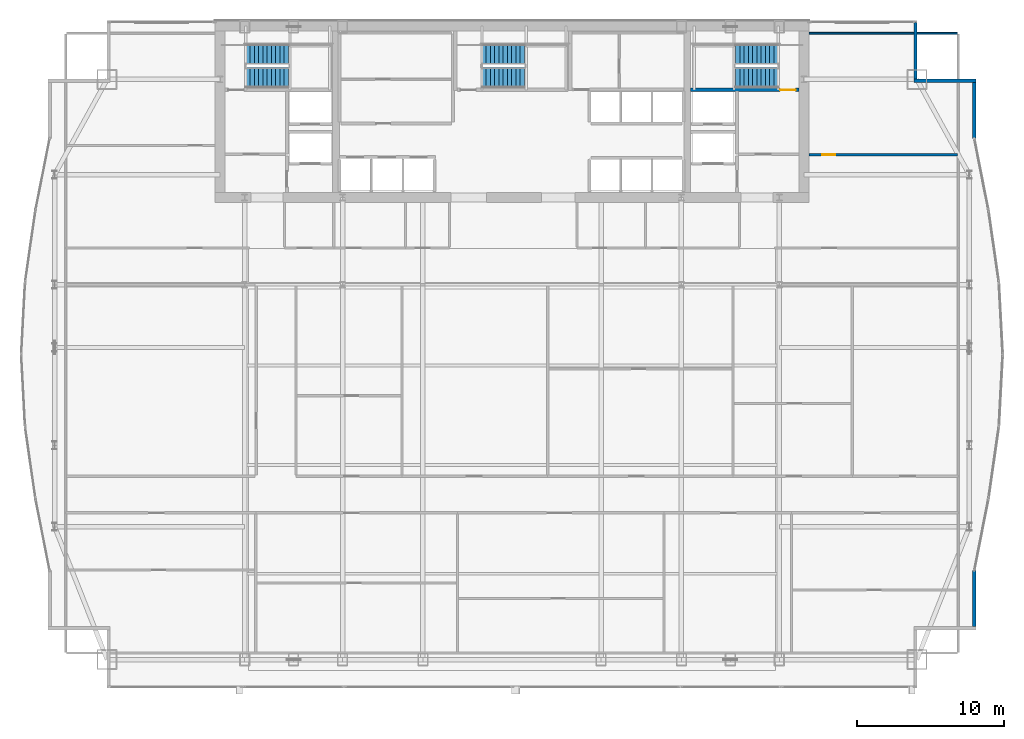
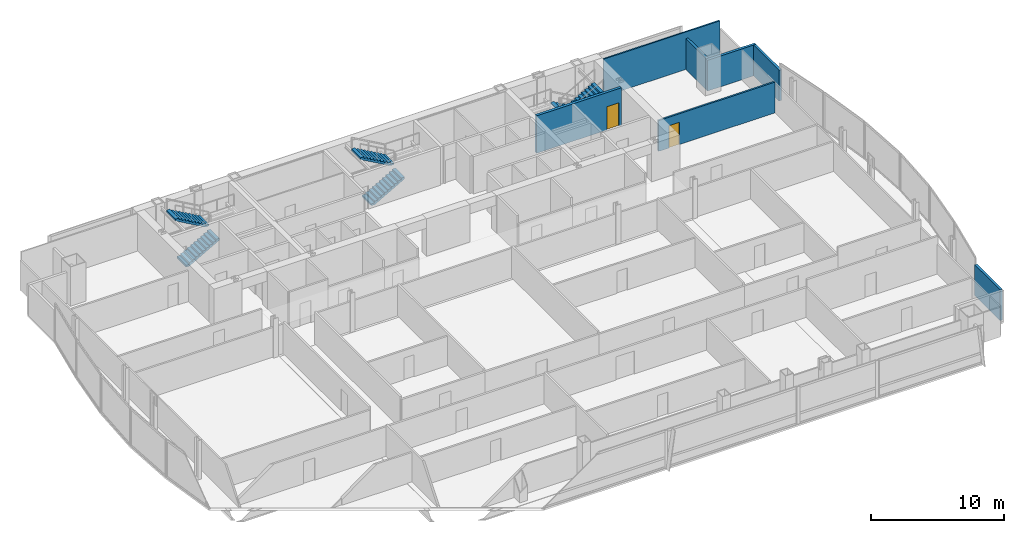
# One storey, part 27 of 29: 7 walls, 6 stair flights, 2 doors, 2 openings, 3 elements without a shape of their own.
"""IFC4 building model written with IfcOpenShell, lengths in metres."""

from ifc_helpers import new_model, si_unit, direction, frame, frame_2d, origin, place, context, subcontext, project, spatial, polyline, rectangle, outline, extrude, material, layer, layer_set, type_object, element, fill, aggregate, save


model = new_model("IFC4")

# Units and contexts
model_context = context("Model", 3, precision=1e-05, world=origin(), true_north=direction((0.0, 1.0)))
body_context = subcontext(model_context, "Body", "Model", "MODEL_VIEW")
ifc_project = project(units=[si_unit("LENGTHUNIT", "METRE"), si_unit("AREAUNIT", "SQUARE_METRE"), si_unit("VOLUMEUNIT", "CUBIC_METRE"), si_unit("PLANEANGLEUNIT", "RADIAN"), si_unit("MASSUNIT", "GRAM", prefix="KILO")], contexts=[model_context])

# Site, building, storey
site_placement = place(None, origin())
site = spatial("IfcSite", under=ifc_project, at=site_placement, CompositionType="ELEMENT")
building_placement = place(site_placement, origin())
building = spatial("IfcBuilding", under=site, at=building_placement, Name="Khoronbel Lancet Exchange", CompositionType="ELEMENT")
storey_placement = place(building_placement, frame((0.0, 0.0, 154.199951171875)))
storey = spatial("IfcBuildingStorey", under=building, at=storey_placement, Name="L38", CompositionType="ELEMENT", Elevation=154.199951171875)

# Walls
ifc_material_1 = material(Name="Precast concrete C40/50", Category="concrete")
ifc_layer_1 = layer(ifc_material_1, 0.25, Name="Precast concrete C40/50")
ifc_layer_set_1 = layer_set([ifc_layer_1], Name="Precast concrete C40/50")
wall_type_1 = type_object("IfcWallType", Name="WL-EXT250", PredefinedType="SOLIDWALL", material=ifc_layer_set_1)
wall_1_placement = place(storey_placement, frame((63.9599609375, 53.6298828125, 0.0), z_axis=(0.0, 0.0, 1.0), x_axis=(0.0, -1.0, 0.0)))
element("IfcWall", 1, at=wall_1_placement, inside=storey, type_object=wall_type_1, Name="Level L38 notched-corner limestone pier 14", PredefinedType="SOLIDWALL", context=body_context, shape_type="SweptSolid", body=[
    extrude(rectangle(XDim=3.909912109375, YDim=0.219970703125, at=frame_2d((1.955078125, 0.0))), origin(), (0.0, 0.0, 1.0), 2.830078125),
])
wall_2_placement = place(storey_placement, frame((63.85009765625, 49.610107421875, 0.0), z_axis=(0.0, 0.0, 1.0), x_axis=(1.0, 0.0, 0.0)))
element("IfcWall", 2, at=wall_2_placement, inside=storey, type_object=wall_type_1, Name="Level L38 notched-corner limestone pier 15", PredefinedType="SOLIDWALL", context=body_context, shape_type="SweptSolid", body=[
    extrude(rectangle(XDim=4.219970703125, YDim=0.219970703125, at=frame_2d((2.10986328125, 0.0))), origin(), (0.0, 0.0, 1.0), 2.830078125),
])
for number, where, z_axis, x_axis, name in (
    (3, (67.9599609375, 49.5, 0.0), (0.0, 0.0, 1.0), (0.0, -1.0, 0.0), "Level L38 notched-corner limestone pier 16"),
    (4, (67.9599609375, 16.228759765625, 0.0), (0.0, 0.0, 1.0), (0.0, -1.0, 0.0), "Level L38 notched-corner limestone pier 23"),
):
    element("IfcWall", number, at=place(storey_placement, frame(where, z_axis=z_axis, x_axis=x_axis)), inside=storey, type_object=wall_type_1, Name=name, PredefinedType="SOLIDWALL", context=body_context, shape_type="SweptSolid", body=[
        extrude(rectangle(XDim=3.828857421875, YDim=0.219970703125, at=frame_2d((1.91455078125, 0.0))), origin(), (0.0, 0.0, 1.0), 2.830078125),
    ])

# Wall, opening, door
ifc_material_2 = material(Name="Acoustic Metal-Stud & Mineral-Wool Gypsum Partition 120 mm", Category="gypsum")
ifc_layer_2 = layer(ifc_material_2, 0.1201171875, Name="Acoustic Metal-Stud & Mineral-Wool Gypsum Partition 120 mm")
ifc_layer_set_2 = layer_set([ifc_layer_2], Name="Acoustic Metal-Stud & Mineral-Wool Gypsum Partition 120 mm")
wall_type_2 = type_object("IfcWallType", Name="WL-PRT120", PredefinedType="PARTITIONING", material=ifc_layer_set_2)
wall_3_placement = place(storey_placement, frame((56.699951171875, 44.56005859375, 0.0), z_axis=(0.0, 0.0, 1.0), x_axis=(1.0, 0.0, 0.0)))
wall_3 = element("IfcWall", 5, at=wall_3_placement, inside=storey, type_object=wall_type_2, Name="Level L38 interior partition PW-NE-H", PredefinedType="PARTITIONING", context=body_context, shape_type="SweptSolid", body=[
    extrude(rectangle(XDim=10.10498046875, YDim=0.14990234375, at=frame_2d((5.052490234375, 0.0))), origin(), (0.0, 0.0, 1.0), 2.830078125),
])
opening_1_placement = place(wall_3_placement, frame((0.89990234375, 0.0, 0.0)))
opening_1 = element("IfcOpeningElement", 6, at=opening_1_placement, cuts=wall_3, Name="Opening D5", PredefinedType="OPENING", context=body_context, shape_type="SweptSolid", body=[
    extrude(rectangle(XDim=0.89990234375, YDim=2.050048828125, at=frame_2d((0.449951171875, 1.02490234375))), frame((0.0, 0.0849609375, 0.0), z_axis=(0.0, -1.0, 0.0), x_axis=(1.0, 0.0, 0.0)), (0.0, 0.0, 1.0), 0.169921875),
])
ifc_material_3 = material(Name="Acoustic Timber Pantry & Support Door", Category="wood")
door_type_1 = type_object("IfcDoorType", Name="DR-D5", OperationType="NOTDEFINED", PredefinedType="DOOR", material=ifc_material_3)
door_1_placement = place(opening_1_placement, origin())
door_1 = element("IfcDoor", 7, at=door_1_placement, inside=storey, type_object=door_type_1, Name="NE north room door L38-1", OperationType="SINGLE_SWING_LEFT", OverallHeight=2.050048828125, OverallWidth=0.89990234375, PredefinedType="DOOR", context=body_context, shape_type="SweptSolid", body=[
    extrude(rectangle(XDim=0.89990234375, YDim=2.050048828125, at=frame_2d((0.449951171875, 1.02490234375))), frame((0.0, 0.02490234375, 0.0), z_axis=(0.0, -1.0, 0.0), x_axis=(1.0, 0.0, 0.0)), (0.0, 0.0, 1.0), 0.050048828125),
])
fill(opening_1, door_1)

# Wall
wall_4_placement = place(storey_placement, frame((56.699951171875, 52.840087890625, 0.0), z_axis=(0.0, 0.0, 1.0), x_axis=(1.0, 0.0, 0.0)))
element("IfcWall", 8, at=wall_4_placement, inside=storey, type_object=wall_type_2, Name="Level L38 interior partition PW-LIN-NE", PredefinedType="PARTITIONING", context=body_context, shape_type="SweptSolid", body=[
    extrude(rectangle(XDim=10.10498046875, YDim=0.1201171875, at=frame_2d((5.052490234375, 0.0))), origin(), (0.0, 0.0, 1.0), 3.43994140625),
])

# Wall, opening, door
ifc_material_4 = material(Name="Concrete C60/75", Category="concrete")
ifc_layer_3 = layer(ifc_material_4, 0.260009765625, Name="Concrete C60/75")
ifc_layer_set_3 = layer_set([ifc_layer_3], Name="Concrete C60/75")
wall_type_3 = type_object("IfcWallType", Name="WL-SW3", PredefinedType="SHEAR", material=ifc_layer_set_3)
wall_5_placement = place(storey_placement, frame((48.6298828125, 48.97998046875, 0.0), z_axis=(0.0, 0.0, 1.0), x_axis=(1.0, 0.0, 0.0)))
wall_5 = element("IfcWall", 9, at=wall_5_placement, inside=storey, type_object=wall_type_3, Name="Level L38 east stairwell structural south wall", PredefinedType="SHEAR", context=body_context, shape_type="SweptSolid", body=[
    extrude(rectangle(XDim=7.3701171875, YDim=0.239990234375, at=frame_2d((3.68505859375, 0.0))), origin(), (0.0, 0.0, 1.0), 3.43994140625),
])
opening_2_placement = place(wall_5_placement, frame((6.10009765625, 0.0, 0.0)))
opening_2 = element("IfcOpeningElement", 10, at=opening_2_placement, cuts=wall_5, Name="Opening SD1", PredefinedType="OPENING", context=body_context, shape_type="SweptSolid", body=[
    extrude(rectangle(XDim=1.050048828125, YDim=2.14990234375, at=frame_2d((0.52490234375, 1.074951171875))), frame((0.0, 0.1298828125, 0.0), z_axis=(0.0, -1.0, 0.0), x_axis=(1.0, 0.0, 0.0)), (0.0, 0.0, 1.0), 0.260009765625),
])
ifc_material_5 = material(Name="Fire-Rated Steel Stairwell Door Assembly", Category="steel")
door_type_2 = type_object("IfcDoorType", Name="DR-SD1", OperationType="NOTDEFINED", PredefinedType="DOOR", material=ifc_material_5)
door_2_placement = place(opening_2_placement, origin())
door_2 = element("IfcDoor", 11, at=door_2_placement, inside=storey, type_object=door_type_2, Name="Protected exit stair ST2 door L38", OperationType="SINGLE_SWING_RIGHT", OverallHeight=2.14990234375, OverallWidth=1.050048828125, PredefinedType="DOOR", context=body_context, shape_type="SweptSolid", body=[
    extrude(rectangle(XDim=1.050048828125, YDim=2.14990234375, at=frame_2d((0.52490234375, 1.074951171875))), frame((0.0, 0.02490234375, 0.0), z_axis=(0.0, -1.0, 0.0), x_axis=(1.0, 0.0, 0.0)), (0.0, 0.0, 1.0), 0.050048828125),
])
fill(opening_2, door_2)

# Stair, stair flights
ifc_material_6 = material(Name="Concrete C40/50", Category="concrete")
stair_type = type_object("IfcStairType", Name="STR-CORE150", PredefinedType="HALF_TURN_STAIR", material=ifc_material_6)
stair_1_placement = place(storey_placement, origin())
stair_1 = element("IfcStair", 12, at=stair_1_placement, inside=storey, type_object=stair_type, Name="L38 Protected Exit Stair ST1", PredefinedType="HALF_TURN_STAIR")
stair_flight_type = type_object("IfcStairFlightType", Name="STF-150", PredefinedType="STRAIGHT", material=ifc_material_6)
stair_flight_1_placement = place(storey_placement, frame((18.300048828125, 49.81005859375, 0.0), z_axis=(0.0, 0.0, 1.0), x_axis=(1.0, 0.0, 0.0)))
stair_flight_1 = element("IfcStairFlight", 13, at=stair_flight_1_placement, type_object=stair_flight_type, Name="ST1 flight 1", NumberOfRisers=11, NumberOfTreads=10, PredefinedType="STRAIGHT", RiserHeight=0.163636364, TreadLength=0.29, context=body_context, shape_type="SweptSolid", body=[
    extrude(outline(polyline([(0.0, 0.0), (0.0, 0.16357421875), (0.2900390625, 0.16357421875), (0.2900390625, 0.327392578125), (0.580078125, 0.327392578125), (0.580078125, 0.490966796875), (0.8701171875, 0.490966796875), (0.8701171875, 0.654541015625), (1.159912109375, 0.654541015625), (1.159912109375, 0.818115234375), (1.449951171875, 0.818115234375), (1.449951171875, 0.98193359375), (1.739990234375, 0.98193359375), (1.739990234375, 1.1455078125), (2.030029296875, 1.1455078125), (2.030029296875, 1.30908203125), (2.320068359375, 1.30908203125), (2.320068359375, 1.47265625), (2.610107421875, 1.47265625), (2.610107421875, 1.636474609375), (2.89990234375, 1.636474609375), (2.89990234375, 1.800048828125), (2.89990234375, 1.46435546875), (0.304931640625, 0.0), (0.0, 0.0)])), frame((0.0, 0.68994140625, 0.0), z_axis=(0.0, -1.0, 0.0), x_axis=(1.0, 0.0, 0.0)), (0.0, 0.0, 1.0), 1.3798828125),
])
stair_flight_2_placement = place(storey_placement, frame((21.199951171875, 51.409912109375, 1.800048828125), z_axis=(0.0, 0.0, 1.0), x_axis=(-1.0, 0.0, 0.0)))
stair_flight_2 = element("IfcStairFlight", 14, at=stair_flight_2_placement, type_object=stair_flight_type, Name="ST1 flight 2", NumberOfRisers=11, NumberOfTreads=10, PredefinedType="STRAIGHT", RiserHeight=0.163636364, TreadLength=0.29, context=body_context, shape_type="SweptSolid", body=[
    extrude(outline(polyline([(0.0, 0.0), (0.0, 0.16357421875), (0.2900390625, 0.16357421875), (0.2900390625, 0.327392578125), (0.580078125, 0.327392578125), (0.580078125, 0.490966796875), (0.8701171875, 0.490966796875), (0.8701171875, 0.654541015625), (1.159912109375, 0.654541015625), (1.159912109375, 0.818115234375), (1.449951171875, 0.818115234375), (1.449951171875, 0.98193359375), (1.739990234375, 0.98193359375), (1.739990234375, 1.1455078125), (2.030029296875, 1.1455078125), (2.030029296875, 1.30908203125), (2.320068359375, 1.30908203125), (2.320068359375, 1.47265625), (2.610107421875, 1.47265625), (2.610107421875, 1.636474609375), (2.89990234375, 1.636474609375), (2.89990234375, 1.800048828125), (2.89990234375, 1.46435546875), (0.304931640625, 0.0), (0.0, 0.0)])), frame((0.0, 0.68994140625, 0.0), z_axis=(0.0, -1.0, 0.0), x_axis=(1.0, 0.0, 0.0)), (0.0, 0.0, 1.0), 1.3798828125),
])
aggregate(stair_1, [stair_flight_1, stair_flight_2])

stair_2_placement = place(storey_placement, origin())
stair_2 = element("IfcStair", 15, at=stair_2_placement, inside=storey, type_object=stair_type, Name="L38 Protected Exit Stair ST2", PredefinedType="HALF_TURN_STAIR")
stair_flight_3_placement = place(storey_placement, frame((54.60009765625, 51.409912109375, 0.0), z_axis=(0.0, 0.0, 1.0), x_axis=(-1.0, 0.0, 0.0)))
stair_flight_3 = element("IfcStairFlight", 16, at=stair_flight_3_placement, type_object=stair_flight_type, Name="ST2 flight 1", NumberOfRisers=11, NumberOfTreads=10, PredefinedType="STRAIGHT", RiserHeight=0.163636364, TreadLength=0.29, context=body_context, shape_type="SweptSolid", body=[
    extrude(outline(polyline([(0.0, 0.0), (0.0, 0.16357421875), (0.2900390625, 0.16357421875), (0.2900390625, 0.327392578125), (0.580078125, 0.327392578125), (0.580078125, 0.490966796875), (0.8701171875, 0.490966796875), (0.8701171875, 0.654541015625), (1.159912109375, 0.654541015625), (1.159912109375, 0.818115234375), (1.449951171875, 0.818115234375), (1.449951171875, 0.98193359375), (1.739990234375, 0.98193359375), (1.739990234375, 1.1455078125), (2.030029296875, 1.1455078125), (2.030029296875, 1.30908203125), (2.320068359375, 1.30908203125), (2.320068359375, 1.47265625), (2.610107421875, 1.47265625), (2.610107421875, 1.636474609375), (2.89990234375, 1.636474609375), (2.89990234375, 1.800048828125), (2.89990234375, 1.46435546875), (0.304931640625, 0.0), (0.0, 0.0)])), frame((0.0, 0.68994140625, 0.0), z_axis=(0.0, -1.0, 0.0), x_axis=(1.0, 0.0, 0.0)), (0.0, 0.0, 1.0), 1.3798828125),
])
stair_flight_4_placement = place(storey_placement, frame((51.699951171875, 49.81005859375, 1.800048828125), z_axis=(0.0, 0.0, 1.0), x_axis=(1.0, 0.0, 0.0)))
stair_flight_4 = element("IfcStairFlight", 17, at=stair_flight_4_placement, type_object=stair_flight_type, Name="ST2 flight 2", NumberOfRisers=11, NumberOfTreads=10, PredefinedType="STRAIGHT", RiserHeight=0.163636364, TreadLength=0.29, context=body_context, shape_type="SweptSolid", body=[
    extrude(outline(polyline([(0.0, 0.0), (0.0, 0.16357421875), (0.2900390625, 0.16357421875), (0.2900390625, 0.327392578125), (0.580078125, 0.327392578125), (0.580078125, 0.490966796875), (0.8701171875, 0.490966796875), (0.8701171875, 0.654541015625), (1.159912109375, 0.654541015625), (1.159912109375, 0.818115234375), (1.449951171875, 0.818115234375), (1.449951171875, 0.98193359375), (1.739990234375, 0.98193359375), (1.739990234375, 1.1455078125), (2.030029296875, 1.1455078125), (2.030029296875, 1.30908203125), (2.320068359375, 1.30908203125), (2.320068359375, 1.47265625), (2.610107421875, 1.47265625), (2.610107421875, 1.636474609375), (2.89990234375, 1.636474609375), (2.89990234375, 1.800048828125), (2.89990234375, 1.46435546875), (0.304931640625, 0.0), (0.0, 0.0)])), frame((0.0, 0.68994140625, 0.0), z_axis=(0.0, -1.0, 0.0), x_axis=(1.0, 0.0, 0.0)), (0.0, 0.0, 1.0), 1.3798828125),
])
aggregate(stair_2, [stair_flight_3, stair_flight_4])

stair_3_placement = place(storey_placement, origin())
stair_3 = element("IfcStair", 18, at=stair_3_placement, inside=storey, type_object=stair_type, Name="L38 Protected Exit Stair ST3", PredefinedType="HALF_TURN_STAIR")
stair_flight_5_placement = place(storey_placement, frame((34.39990234375, 49.81005859375, 0.0), z_axis=(0.0, 0.0, 1.0), x_axis=(1.0, 0.0, 0.0)))
stair_flight_5 = element("IfcStairFlight", 19, at=stair_flight_5_placement, type_object=stair_flight_type, Name="ST3 flight 1", NumberOfRisers=11, NumberOfTreads=10, PredefinedType="STRAIGHT", RiserHeight=0.163636364, TreadLength=0.29, context=body_context, shape_type="SweptSolid", body=[
    extrude(outline(polyline([(0.0, 0.0), (0.0, 0.16357421875), (0.2900390625, 0.16357421875), (0.2900390625, 0.327392578125), (0.580078125, 0.327392578125), (0.580078125, 0.490966796875), (0.8701171875, 0.490966796875), (0.8701171875, 0.654541015625), (1.159912109375, 0.654541015625), (1.159912109375, 0.818115234375), (1.449951171875, 0.818115234375), (1.449951171875, 0.98193359375), (1.739990234375, 0.98193359375), (1.739990234375, 1.1455078125), (2.030029296875, 1.1455078125), (2.030029296875, 1.30908203125), (2.320068359375, 1.30908203125), (2.320068359375, 1.47265625), (2.610107421875, 1.47265625), (2.610107421875, 1.636474609375), (2.89990234375, 1.636474609375), (2.89990234375, 1.800048828125), (2.89990234375, 1.46435546875), (0.304931640625, 0.0), (0.0, 0.0)])), frame((0.0, 0.68994140625, 0.0), z_axis=(0.0, -1.0, 0.0), x_axis=(1.0, 0.0, 0.0)), (0.0, 0.0, 1.0), 1.3798828125),
])
stair_flight_6_placement = place(storey_placement, frame((37.300048828125, 51.409912109375, 1.800048828125), z_axis=(0.0, 0.0, 1.0), x_axis=(-1.0, 0.0, 0.0)))
stair_flight_6 = element("IfcStairFlight", 20, at=stair_flight_6_placement, type_object=stair_flight_type, Name="ST3 flight 2", NumberOfRisers=11, NumberOfTreads=10, PredefinedType="STRAIGHT", RiserHeight=0.163636364, TreadLength=0.29, context=body_context, shape_type="SweptSolid", body=[
    extrude(outline(polyline([(0.0, 0.0), (0.0, 0.16357421875), (0.2900390625, 0.16357421875), (0.2900390625, 0.327392578125), (0.580078125, 0.327392578125), (0.580078125, 0.490966796875), (0.8701171875, 0.490966796875), (0.8701171875, 0.654541015625), (1.159912109375, 0.654541015625), (1.159912109375, 0.818115234375), (1.449951171875, 0.818115234375), (1.449951171875, 0.98193359375), (1.739990234375, 0.98193359375), (1.739990234375, 1.1455078125), (2.030029296875, 1.1455078125), (2.030029296875, 1.30908203125), (2.320068359375, 1.30908203125), (2.320068359375, 1.47265625), (2.610107421875, 1.47265625), (2.610107421875, 1.636474609375), (2.89990234375, 1.636474609375), (2.89990234375, 1.800048828125), (2.89990234375, 1.46435546875), (0.304931640625, 0.0), (0.0, 0.0)])), frame((0.0, 0.68994140625, 0.0), z_axis=(0.0, -1.0, 0.0), x_axis=(1.0, 0.0, 0.0)), (0.0, 0.0, 1.0), 1.3798828125),
])
aggregate(stair_3, [stair_flight_5, stair_flight_6])

save(model, "model.ifc")
